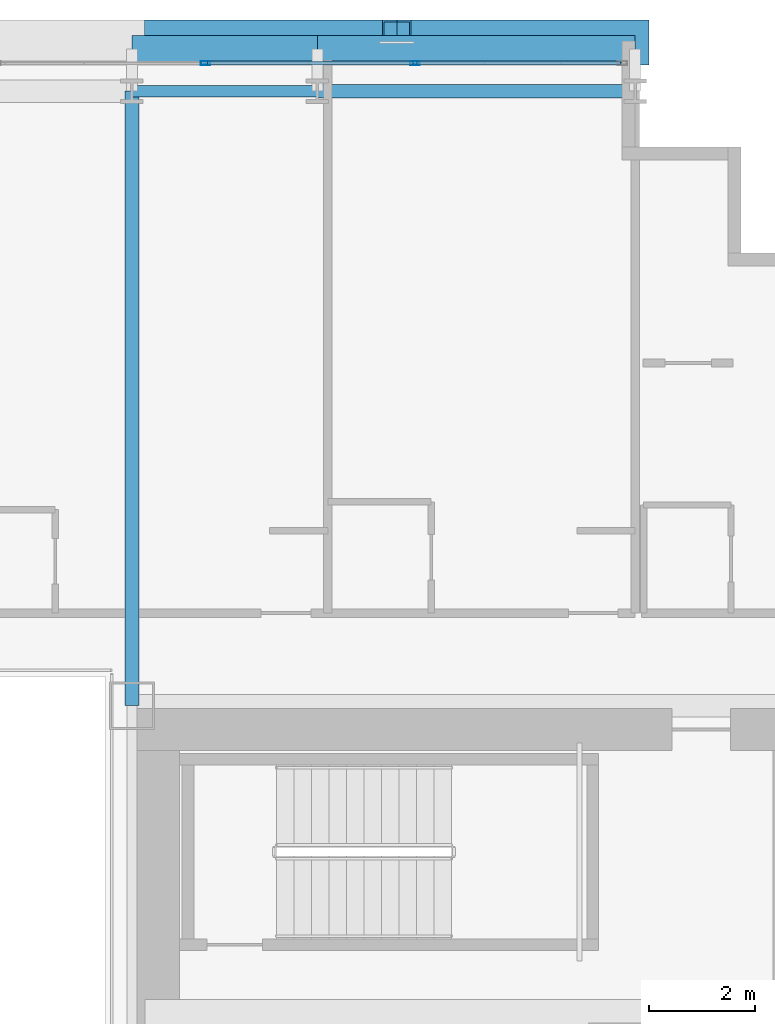
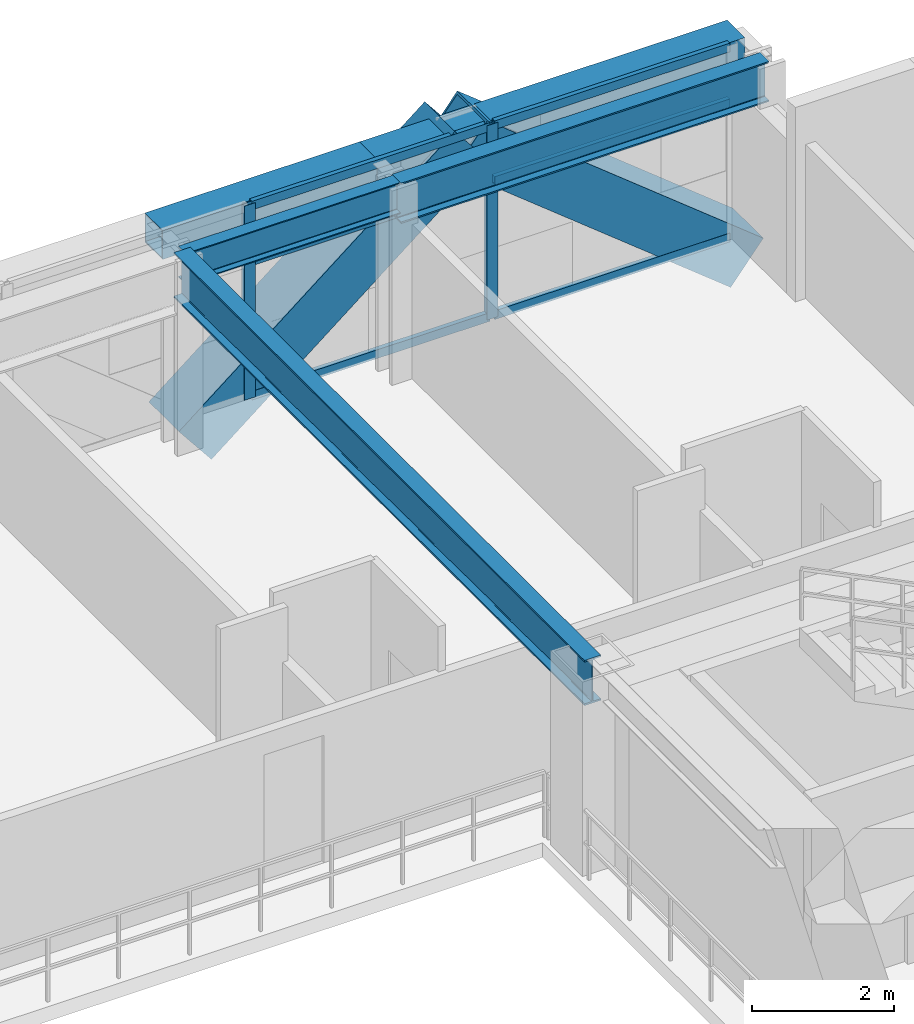
# One storey, part 21 of 35: 10 members, 5 beams, 1 element without a shape of its own.
"""IFC4 building model written with IfcOpenShell, lengths in metres."""

import ifcopenshell
import ifcopenshell.guid

model = None  # the IFC model being written
_history = None  # IfcOwnerHistory: only IFC2X3 demands one
_inside = {}  # id of a spatial element -> (the spatial element, [elements in it])
_under = {}  # id of a project, library or spatial element -> (it, [spatial elements below it])
_declared = {}  # id of a project -> (the project, [libraries it declares])
_typed = {}  # id of a type object -> (the type object, [elements of that type])
_made_of = {}  # id of a material, layer set ... -> (it, [elements and type objects made of it])


def new_model(schema):
    """Start an empty IFC model of exactly this schema.

    Asked for "IFC4X3", IfcOpenShell would pick the latest addendum, in which some entities
    have other attributes; the version numbers below select the first issue.
    IFC2X3 requires an IfcOwnerHistory on every rooted entity: one is made here for all.
    """
    global model, _history
    if schema == "IFC4X3":
        model = ifcopenshell.file(schema_version=(4, 3, 0, 0))
    else:
        model = ifcopenshell.file(schema=schema)
    _inside.clear()
    _under.clear()
    _declared.clear()
    _typed.clear()
    _made_of.clear()
    _history = None
    if model.schema == "IFC2X3":
        org = make("IfcOrganization", Name="unknown")
        user = make(
            "IfcPersonAndOrganization",
            ThePerson=make("IfcPerson", FamilyName="unknown"),
            TheOrganization=org,
        )
        app = make(
            "IfcApplication",
            ApplicationDeveloper=org,
            Version="unknown",
            ApplicationFullName="unknown",
            ApplicationIdentifier="unknown",
        )
        _history = make(
            "IfcOwnerHistory",
            OwningUser=user,
            OwningApplication=app,
            ChangeAction="ADDED",
            CreationDate=0,
        )
    return model


def make(cls, **values):
    """One entity of the class cls with the attributes given. An attribute that is None is left unset."""
    return model.create_entity(
        cls, **{name: value for name, value in values.items() if value is not None}
    )


def rooted(cls, **values):
    """An entity with a GlobalId (a new one), such as an element, a storey or a relation."""
    return make(cls, GlobalId=ifcopenshell.guid.new(), OwnerHistory=_history, **values)


def si_unit(unit_type, name, prefix=None):
    """IfcSIUnit, for example si_unit("LENGTHUNIT", "METRE", prefix="MILLI")."""
    return make("IfcSIUnit", UnitType=unit_type, Prefix=prefix, Name=name)


def assignment(units):
    """IfcUnitAssignment: the units of a project."""
    return None if units is None else make("IfcUnitAssignment", Units=units)


def point(xyz):
    """IfcCartesianPoint."""
    return None if xyz is None else make("IfcCartesianPoint", Coordinates=xyz)


def direction(xyz):
    """IfcDirection."""
    return None if xyz is None else make("IfcDirection", DirectionRatios=xyz)


def frame(location, z_axis=None, x_axis=None):
    """IfcAxis2Placement3D, a coordinate frame: its origin and axes. An axis left out is left unset."""
    return make(
        "IfcAxis2Placement3D",
        Location=point(location),
        Axis=direction(z_axis),
        RefDirection=direction(x_axis),
    )


def frame_2d(location, x_axis=None):
    """IfcAxis2Placement2D, a coordinate frame in the plane: its origin and x axis."""
    return make(
        "IfcAxis2Placement2D", Location=point(location), RefDirection=direction(x_axis)
    )


def origin():
    """The frame at (0, 0, 0) with its axes left unset."""
    return frame((0.0, 0.0, 0.0))


def origin_2d():
    """The frame at (0, 0) in the plane with its x axis left unset."""
    return frame_2d((0.0, 0.0))


def place(relative_to, where):
    """IfcLocalPlacement: puts the frame where relative to a parent placement (None: the world)."""
    return make(
        "IfcLocalPlacement", PlacementRelTo=relative_to, RelativePlacement=where
    )


def context(
    kind, dimensions, precision=None, world=None, true_north=None, identifier=None
):
    """IfcGeometricRepresentationContext, for example the 3D "Model" context."""
    return make(
        "IfcGeometricRepresentationContext",
        ContextIdentifier=identifier,
        ContextType=kind,
        CoordinateSpaceDimension=dimensions,
        Precision=precision,
        WorldCoordinateSystem=world,
        TrueNorth=true_north,
    )


def subcontext(parent, identifier, kind, view, scale=None):
    """IfcGeometricRepresentationSubContext, for example "Body" below "Model"."""
    return make(
        "IfcGeometricRepresentationSubContext",
        ContextIdentifier=identifier,
        ContextType=kind,
        ParentContext=parent,
        TargetScale=scale,
        TargetView=view,
    )


def project(units=None, contexts=None):
    """IfcProject with its units and contexts."""
    return rooted(
        "IfcProject",
        Name="project",
        RepresentationContexts=contexts,
        UnitsInContext=assignment(units),
    )


def spatial(cls, under=None, at=None, **own):
    """A site, building, storey or space (cls), placed at a placement, below another one or the project."""
    s = rooted(cls, ObjectPlacement=at, **own)
    if under is not None:
        _under.setdefault(under.id(), (under, []))[1].append(s)
    return s


def profile(cls, at=None, kind="AREA", **sizes):
    """A parametric profile (cls). Its sizes go by their IFC names, for example OverallWidth=200.0."""
    return make(cls, ProfileType=kind, Position=at, **sizes)


def hollow_rectangle(**sizes):
    """IfcRectangleHollowProfileDef."""
    return profile("IfcRectangleHollowProfileDef", **sizes)


def i_section(**sizes):
    """IfcIShapeProfileDef."""
    return profile("IfcIShapeProfileDef", **sizes)


def extrude(swept, where, along, depth):
    """IfcExtrudedAreaSolid: the profile swept, set in the frame where, extruded along a direction by depth."""
    return make(
        "IfcExtrudedAreaSolid",
        SweptArea=swept,
        Position=where,
        ExtrudedDirection=direction(along),
        Depth=depth,
    )


def shape(context_of_items, identifier, shape_type, items):
    """IfcShapeRepresentation: the items that make up one representation, for example the "Body"."""
    return make(
        "IfcShapeRepresentation",
        ContextOfItems=context_of_items,
        RepresentationIdentifier=identifier,
        RepresentationType=shape_type,
        Items=items,
    )


def source(mapping_origin, context_of_items, identifier, shape_type, items):
    """IfcRepresentationMap: a shape defined once, which mapped items show again and again."""
    return make(
        "IfcRepresentationMap",
        MappingOrigin=mapping_origin,
        MappedRepresentation=shape(context_of_items, identifier, shape_type, items),
    )


def transform(
    local_origin,
    x_axis=None,
    y_axis=None,
    z_axis=None,
    scale=None,
    scale2=None,
    scale3=None,
    uniform=True,
):
    """IfcCartesianTransformationOperator3D, or its non-uniform kind. x_axis, y_axis, z_axis: its Axis1, 2, 3."""
    if uniform:
        return make(
            "IfcCartesianTransformationOperator3D",
            Axis1=direction(x_axis),
            Axis2=direction(y_axis),
            LocalOrigin=point(local_origin),
            Scale=scale,
            Axis3=direction(z_axis),
        )
    return make(
        "IfcCartesianTransformationOperator3DnonUniform",
        Axis1=direction(x_axis),
        Axis2=direction(y_axis),
        LocalOrigin=point(local_origin),
        Scale=scale,
        Axis3=direction(z_axis),
        Scale2=scale2,
        Scale3=scale3,
    )


def mapped(mapping_source, mapping_target):
    """IfcMappedItem: shows the shape of a source again, moved by a transform."""
    return make(
        "IfcMappedItem", MappingSource=mapping_source, MappingTarget=mapping_target
    )


def material(Name=None, Category=None):
    """IfcMaterial."""
    return make("IfcMaterial", Name=Name, Category=Category)


def layer(
    of_material, thickness, ventilated=None, Name=None, Category=None, Priority=None
):
    """IfcMaterialLayer: one layer of a wall or slab, of a material (None: an air gap)."""
    return make(
        "IfcMaterialLayer",
        Material=of_material,
        LayerThickness=thickness,
        IsVentilated=ventilated,
        Name=Name,
        Category=Category,
        Priority=Priority,
    )


def layer_set(layers, Name=None):
    """IfcMaterialLayerSet."""
    return make("IfcMaterialLayerSet", MaterialLayers=layers, LayerSetName=Name)


def material_profile(
    of_material, cross_section, Name=None, Category=None, Priority=None
):
    """IfcMaterialProfile: a cross section and its material."""
    return make(
        "IfcMaterialProfile",
        Name=Name,
        Material=of_material,
        Profile=cross_section,
        Priority=Priority,
        Category=Category,
    )


def profile_set(profiles, Name=None, composite=None):
    """IfcMaterialProfileSet."""
    return make(
        "IfcMaterialProfileSet",
        Name=Name,
        MaterialProfiles=profiles,
        CompositeProfile=composite,
    )


def made_of(thing, what):
    """Note that an element or type object is made of a material, layer set ...; save() writes the relation."""
    if what is not None:
        _made_of.setdefault(what.id(), (what, []))[1].append(thing)
    return thing


def type_object(cls, material=None, **own):
    """A type object (cls), such as IfcWallType, which elements share."""
    return made_of(rooted(cls, **own), material)


def element(
    cls,
    number,
    at=None,
    inside=None,
    cuts=None,
    type_object=None,
    material=None,
    context=None,
    identifier="Body",
    shape_type=None,
    held_by="IfcProductDefinitionShape",
    body=None,
    shapes=None,
    **own,
):
    """One element of the class cls, such as IfcWall. Its Tag is "e" and its number.

    at: its placement. inside: the storey or other place that contains it. cuts: it is an
    opening in that element (IfcRelVoidsElement). A single representation is given by context,
    identifier, shape_type and body (its items); several are given by shapes. held_by: the class
    of the entity that holds the representations. save() writes the other relations.
    """
    e = rooted(cls, Tag="e%d" % number, ObjectPlacement=at, **own)
    if body is not None:
        shapes = [shape(context, identifier, shape_type, body)]
    if shapes is not None:
        e.Representation = make(held_by, Representations=shapes)
    if inside is not None:
        _inside.setdefault(inside.id(), (inside, []))[1].append(e)
    if cuts is not None:
        rooted(
            "IfcRelVoidsElement", RelatingBuildingElement=cuts, RelatedOpeningElement=e
        )
    if type_object is not None:
        _typed.setdefault(type_object.id(), (type_object, []))[1].append(e)
    return made_of(e, material)


def aggregate(whole, parts):
    """IfcRelAggregates: a whole, such as a stair, and the parts it consists of."""
    return rooted("IfcRelAggregates", RelatingObject=whole, RelatedObjects=parts)


def save(model, path):
    """Write the relations noted so far, then the file.

    IfcRelAggregates (storeys below a building ...), IfcRelContainedInSpatialStructure (elements
    in a storey), IfcRelDefinesByType, IfcRelAssociatesMaterial and IfcRelDeclares: one each for
    every whole, place, type object, material and project.
    """
    for whole, parts in _under.values():
        aggregate(whole, parts)
    for where, things in _inside.values():
        rooted(
            "IfcRelContainedInSpatialStructure",
            RelatedElements=things,
            RelatingStructure=where,
        )
    for kind, things in _typed.values():
        rooted("IfcRelDefinesByType", RelatedObjects=things, RelatingType=kind)
    for what, things in _made_of.values():
        rooted("IfcRelAssociatesMaterial", RelatedObjects=things, RelatingMaterial=what)
    for by, libraries in _declared.values():
        rooted("IfcRelDeclares", RelatingContext=by, RelatedDefinitions=libraries)
    model.write(path)


model = new_model("IFC4")

# Units and contexts
model_context = context("Model", 3, precision=1e-05, world=origin(), true_north=direction((0.0, 1.0)))
body_context = subcontext(model_context, "Body", "Model", "MODEL_VIEW")
ifc_project = project(units=[si_unit("LENGTHUNIT", "METRE"), si_unit("AREAUNIT", "SQUARE_METRE"), si_unit("VOLUMEUNIT", "CUBIC_METRE"), si_unit("PLANEANGLEUNIT", "RADIAN"), si_unit("MASSUNIT", "GRAM", prefix="KILO")], contexts=[model_context])

# Site, building, storey
site_placement = place(None, origin())
site = spatial("IfcSite", under=ifc_project, at=site_placement, CompositionType="ELEMENT")
building_placement = place(site_placement, origin())
building = spatial("IfcBuilding", under=site, at=building_placement, Name="Ocotamira Hotel", CompositionType="ELEMENT")
storey_placement = place(building_placement, frame((0.0, 0.0, 56.39990234375)))
storey = spatial("IfcBuildingStorey", under=building, at=storey_placement, Name="L13", CompositionType="ELEMENT", Elevation=56.39990234375)

# Beams
ifc_material_1 = material(Name="Steel ASTM A992 Grade 50", Category="steel")
ifc_material_profile_1 = material_profile(ifc_material_1, i_section(OverallWidth=0.256103515625, OverallDepth=0.693115234375, WebThickness=0.014404296875, FlangeThickness=0.023681640625, FilletRadius=0.01611328125, at=origin_2d()), Name="W27X114")
ifc_profile_set_1 = profile_set([ifc_material_profile_1], Name="Steel ASTM A992 Grade 50")
beam_type_1 = type_object("IfcBeamType", Name="BM-PRIM-W27X114", PredefinedType="BEAM", material=ifc_profile_set_1)
shared_shape_1 = source(origin(), body_context, "Body", "SweptSolid", [
    extrude(i_section(OverallWidth=0.256103515625, OverallDepth=0.693115234375, WebThickness=0.014404296875, FlangeThickness=0.023681640625, FilletRadius=0.01611328125, at=origin_2d()), origin(), (0.0, 0.0, 1.0), 6.0),
])
beam_1_placement = place(storey_placement, frame((44.0, 49.050048828125, 3.003662109375), z_axis=(1.0, 0.0, 0.0), x_axis=(0.0, 1.0, 0.0)))
element("IfcBeam", 1, at=beam_1_placement, inside=storey, type_object=beam_type_1, Name="L13 Girder Y49.05 X44-50", PredefinedType="BEAM", context=body_context, shape_type="MappedRepresentation", body=[
    mapped(shared_shape_1, transform((0.0, 0.0, 0.0), scale=1.0)),
])
ifc_material_profile_2 = material_profile(ifc_material_1, i_section(OverallWidth=0.2099609375, OverallDepth=0.537109375, WebThickness=0.010986328125, FlangeThickness=0.017333984375, FilletRadius=0.012939453125, at=origin_2d()), Name="W21X68")
ifc_profile_set_2 = profile_set([ifc_material_profile_2], Name="Steel ASTM A992 Grade 50")
beam_type_2 = type_object("IfcBeamType", Name="BM-SEC-W21X68", PredefinedType="JOIST", material=ifc_profile_set_2)
shared_shape_2 = source(origin(), body_context, "Body", "SweptSolid", [
    extrude(i_section(OverallWidth=0.2099609375, OverallDepth=0.537109375, WebThickness=0.010986328125, FlangeThickness=0.017333984375, FilletRadius=0.012939453125, at=origin_2d()), origin(), (0.0, 0.0, 1.0), 3.5),
])
beam_2_placement = place(storey_placement, frame((40.5, 49.050048828125, 3.08154296875), z_axis=(1.0, 0.0, 0.0), x_axis=(0.0, 1.0, 0.0)))
element("IfcBeam", 2, at=beam_2_placement, inside=storey, type_object=beam_type_2, Name="L13 Girder Y49.05 X40.5-44", PredefinedType="JOIST", context=body_context, shape_type="MappedRepresentation", body=[
    mapped(shared_shape_2, transform((0.0, 0.0, 0.0), scale=1.0)),
])
ifc_material_profile_3 = material_profile(ifc_material_1, i_section(OverallWidth=0.26611328125, OverallDepth=0.779052734375, WebThickness=0.0166015625, FlangeThickness=0.030029296875, FilletRadius=0.01806640625, at=origin_2d()), Name="W30X148")
ifc_profile_set_3 = profile_set([ifc_material_profile_3], Name="Steel ASTM A992 Grade 50")
beam_type_3 = type_object("IfcBeamType", Name="BM-GIRD-W30X148", PredefinedType="BEAM", material=ifc_profile_set_3)
shared_shape_3 = source(origin(), body_context, "Body", "SweptSolid", [
    extrude(i_section(OverallWidth=0.26611328125, OverallDepth=0.779052734375, WebThickness=0.0166015625, FlangeThickness=0.030029296875, FilletRadius=0.01806640625, at=origin_2d()), origin(), (0.0, 0.0, 1.0), 11.60009765625),
])
beam_3_placement = place(storey_placement, frame((40.5, 37.449951171875, 2.960693359375), z_axis=(0.0, 1.0, 0.0), x_axis=(-1.0, 0.0, 0.0)))
element("IfcBeam", 3, at=beam_3_placement, inside=storey, type_object=beam_type_3, Name="L13 Beam X40.5 Y37.45-49.05", PredefinedType="BEAM", context=body_context, shape_type="MappedRepresentation", body=[
    mapped(shared_shape_3, transform((0.0, 0.0, 0.0), scale=1.0)),
])
ifc_material_2 = material(Name="Steel ASTM A500 Grade C", Category="steel")
ifc_material_profile_4 = material_profile(ifc_material_2, hollow_rectangle(XDim=0.5, YDim=0.5, WallThickness=0.02001953125, at=origin_2d()), Name="HSS500X500X20")
ifc_profile_set_4 = profile_set([ifc_material_profile_4], Name="Steel ASTM A500 Grade C")
beam_type_4 = type_object("IfcBeamType", Name="BM-SPAN-HSS500", PredefinedType="USERDEFINED", material=ifc_profile_set_4)
shared_shape_4 = source(origin(), body_context, "Body", "SweptSolid", [
    extrude(hollow_rectangle(XDim=0.5, YDim=0.5, WallThickness=0.02001953125, at=origin_2d()), origin(), (0.0, 0.0, 1.0), 6.0),
])
beam_4_placement = place(storey_placement, frame((44.0, 49.85009765625, 3.10009765625), z_axis=(1.0, 0.0, 0.0), x_axis=(0.0, 1.0, 0.0)))
element("IfcBeam", 4, at=beam_4_placement, inside=storey, type_object=beam_type_4, Name="L13 Edge Spandrel N X44-50", ObjectType="SPANDREL", PredefinedType="USERDEFINED", context=body_context, shape_type="MappedRepresentation", body=[
    mapped(shared_shape_4, transform((0.0, 0.0, 0.0), scale=1.0)),
])
shared_shape_5 = source(origin(), body_context, "Body", "SweptSolid", [
    extrude(hollow_rectangle(XDim=0.5, YDim=0.5, WallThickness=0.02001953125, at=origin_2d()), origin(), (0.0, 0.0, 1.0), 3.5),
])
beam_5_placement = place(storey_placement, frame((40.5, 49.85009765625, 3.10009765625), z_axis=(1.0, 0.0, 0.0), x_axis=(0.0, 1.0, 0.0)))
element("IfcBeam", 5, at=beam_5_placement, inside=storey, type_object=beam_type_4, Name="L13 Edge Spandrel N X40.5-44", ObjectType="SPANDREL", PredefinedType="USERDEFINED", context=body_context, shape_type="MappedRepresentation", body=[
    mapped(shared_shape_5, transform((0.0, 0.0, 0.0), scale=1.0)),
])

# Members
ifc_material_3 = material(Name="Pale-metal coated steel ASTM A913 Grade 65", Category="steel")
ifc_material_profile_5 = material_profile(ifc_material_3, hollow_rectangle(XDim=0.85009765625, YDim=0.85009765625, WallThickness=0.035888671875, at=origin_2d()), Name="BOX850X850X36")
ifc_profile_set_5 = profile_set([ifc_material_profile_5], Name="Pale-metal coated steel ASTM A913 Grade 65")
member_type_1 = type_object("IfcMemberType", Name="MEM-EXO-BOX850", PredefinedType="BRACE", material=ifc_profile_set_5)
shared_shape_6 = source(origin(), body_context, "Body", "SweptSolid", [
    extrude(hollow_rectangle(XDim=0.85009765625, YDim=0.85009765625, WallThickness=0.035888671875, at=origin_2d()), origin(), (0.0, 0.0, 1.0), 5.762939453125),
])
for number, where, z_axis, x_axis, name in (
    (6, (41.0, 49.969970703125, -0.5), (0.780860543151, 0.0, 0.624705380279), (0.0, 1.0, 0.0), "L13 Exoskeleton Diagrid N3.1"),
    (7, (50.0, 49.969970703125, -0.5), (-0.780860543151, 0.0, 0.624705380279), (0.0, -1.0, 0.0), "L13 Exoskeleton Diagrid N3.2"),
):
    element("IfcMember", number, at=place(storey_placement, frame(where, z_axis=z_axis, x_axis=x_axis)), inside=storey, type_object=member_type_1, Name=name, PredefinedType="BRACE", context=body_context, shape_type="MappedRepresentation", body=[
        mapped(shared_shape_6, transform((0.0, 0.0, 0.0), scale=1.0)),
    ])

# Curtain wall, members
ifc_material_4 = material(Name="Anodised pale-metal aluminium and solar glass", Category="aluminium")
ifc_layer = layer(ifc_material_4, 0.179931640625)
ifc_layer_set = layer_set([ifc_layer], Name="Anodised pale-metal aluminium and solar glass")
curtain_wall_type = type_object("IfcCurtainWallType", Name="CW-SYS2-Z1", PredefinedType="NOTDEFINED", material=ifc_layer_set)
curtain_wall_placement = place(storey_placement, origin())
curtain_wall = element("IfcCurtainWall", 8, at=curtain_wall_placement, inside=storey, type_object=curtain_wall_type, Name="L13 Curtain Wall CW-2 CW-L13-N", PredefinedType="NOTDEFINED")
ifc_material_5 = material(Name="Anodised pale-metal aluminium 6063-T6", Category="aluminium")
ifc_material_profile_6 = material_profile(ifc_material_5, hollow_rectangle(XDim=0.074951171875, YDim=0.14990234375, WallThickness=0.006103515625, at=origin_2d()), Name="HSS150X75X6")
ifc_profile_set_6 = profile_set([ifc_material_profile_6], Name="Anodised pale-metal aluminium 6063-T6")
member_type_2 = type_object("IfcMemberType", Name="CWT-150X75", PredefinedType="USERDEFINED", material=ifc_profile_set_6)
shared_shape_7 = source(origin(), body_context, "Body", "SweptSolid", [
    extrude(hollow_rectangle(XDim=0.074951171875, YDim=0.14990234375, WallThickness=0.006103515625, at=origin_2d()), origin(), (0.0, 0.0, 1.0), 3.83544921875),
])
member_1_placement = place(storey_placement, frame((45.884521484375, 49.580078125, 0.03759765625), z_axis=(1.0, 0.0, 0.0), x_axis=(0.0, 1.0, 0.0)))
member_1 = element("IfcMember", 9, at=member_1_placement, type_object=member_type_2, Name="CW-2 transom 9.1", ObjectType="TRANSOM", PredefinedType="USERDEFINED", context=body_context, shape_type="MappedRepresentation", body=[
    mapped(shared_shape_7, transform((0.0, 0.0, 0.0), scale=1.0)),
])
member_2_placement = place(storey_placement, frame((45.884521484375, 49.580078125, 2.35009765625), z_axis=(1.0, 0.0, 0.0), x_axis=(0.0, 1.0, 0.0)))
member_2 = element("IfcMember", 10, at=member_2_placement, type_object=member_type_2, Name="CW-2 transom 9.2", ObjectType="TRANSOM", PredefinedType="USERDEFINED", context=body_context, shape_type="MappedRepresentation", body=[
    mapped(shared_shape_7, transform((0.0, 0.0, 0.0), scale=1.0)),
])
member_3_placement = place(storey_placement, frame((45.884521484375, 49.580078125, 3.3125), z_axis=(1.0, 0.0, 0.0), x_axis=(0.0, 1.0, 0.0)))
member_3 = element("IfcMember", 11, at=member_3_placement, type_object=member_type_2, Name="CW-2 transom 9.3", ObjectType="TRANSOM", PredefinedType="USERDEFINED", context=body_context, shape_type="MappedRepresentation", body=[
    mapped(shared_shape_7, transform((0.0, 0.0, 0.0), scale=1.0)),
])
shared_shape_8 = source(origin(), body_context, "Body", "SweptSolid", [
    extrude(hollow_rectangle(XDim=0.074951171875, YDim=0.14990234375, WallThickness=0.006103515625, at=origin_2d()), origin(), (0.0, 0.0, 1.0), 3.87548828125),
])
member_4_placement = place(storey_placement, frame((41.928955078125, 49.580078125, 0.03759765625), z_axis=(1.0, 0.0, 0.0), x_axis=(0.0, 1.0, 0.0)))
member_4 = element("IfcMember", 12, at=member_4_placement, type_object=member_type_2, Name="CW-2 transom 8.1", ObjectType="TRANSOM", PredefinedType="USERDEFINED", context=body_context, shape_type="MappedRepresentation", body=[
    mapped(shared_shape_8, transform((0.0, 0.0, 0.0), scale=1.0)),
])
member_5_placement = place(storey_placement, frame((41.928955078125, 49.580078125, 2.35009765625), z_axis=(1.0, 0.0, 0.0), x_axis=(0.0, 1.0, 0.0)))
member_5 = element("IfcMember", 13, at=member_5_placement, type_object=member_type_2, Name="CW-2 transom 8.2", ObjectType="TRANSOM", PredefinedType="USERDEFINED", context=body_context, shape_type="MappedRepresentation", body=[
    mapped(shared_shape_8, transform((0.0, 0.0, 0.0), scale=1.0)),
])
member_6_placement = place(storey_placement, frame((41.928955078125, 49.580078125, 3.3125), z_axis=(1.0, 0.0, 0.0), x_axis=(0.0, 1.0, 0.0)))
member_6 = element("IfcMember", 14, at=member_6_placement, type_object=member_type_2, Name="CW-2 transom 8.3", ObjectType="TRANSOM", PredefinedType="USERDEFINED", context=body_context, shape_type="MappedRepresentation", body=[
    mapped(shared_shape_8, transform((0.0, 0.0, 0.0), scale=1.0)),
])
ifc_material_profile_7 = material_profile(ifc_material_5, hollow_rectangle(XDim=0.080078125, YDim=0.179931640625, WallThickness=0.006103515625, at=origin_2d()), Name="HSS180X80X6")
ifc_profile_set_7 = profile_set([ifc_material_profile_7], Name="Anodised pale-metal aluminium 6063-T6")
member_type_3 = type_object("IfcMemberType", Name="CWM-180X75", PredefinedType="MULLION", material=ifc_profile_set_7)
shared_shape_9 = source(origin(), body_context, "Body", "SweptSolid", [
    extrude(hollow_rectangle(XDim=0.080078125, YDim=0.179931640625, WallThickness=0.006103515625, at=origin_2d()), origin(), (0.0, 0.0, 1.0), 3.35009765625),
])
member_7_placement = place(storey_placement, frame((41.888916015625, 49.580078125, 0.0), z_axis=(0.0, 0.0, 1.0), x_axis=(0.0, 1.0, 0.0)))
member_7 = element("IfcMember", 15, at=member_7_placement, type_object=member_type_3, Name="CW-2 mullion 8", PredefinedType="MULLION", context=body_context, shape_type="MappedRepresentation", body=[
    mapped(shared_shape_9, transform((0.0, 0.0, 0.0), scale=1.0)),
])
member_8_placement = place(storey_placement, frame((45.844482421875, 49.580078125, 0.0), z_axis=(0.0, 0.0, 1.0), x_axis=(0.0, 1.0, 0.0)))
member_8 = element("IfcMember", 16, at=member_8_placement, type_object=member_type_3, Name="CW-2 mullion 9", PredefinedType="MULLION", context=body_context, shape_type="MappedRepresentation", body=[
    mapped(shared_shape_9, transform((0.0, 0.0, 0.0), scale=1.0)),
])
aggregate(curtain_wall, [member_7, member_8, member_4, member_5, member_6, member_1, member_2, member_3])

save(model, "model.ifc")
